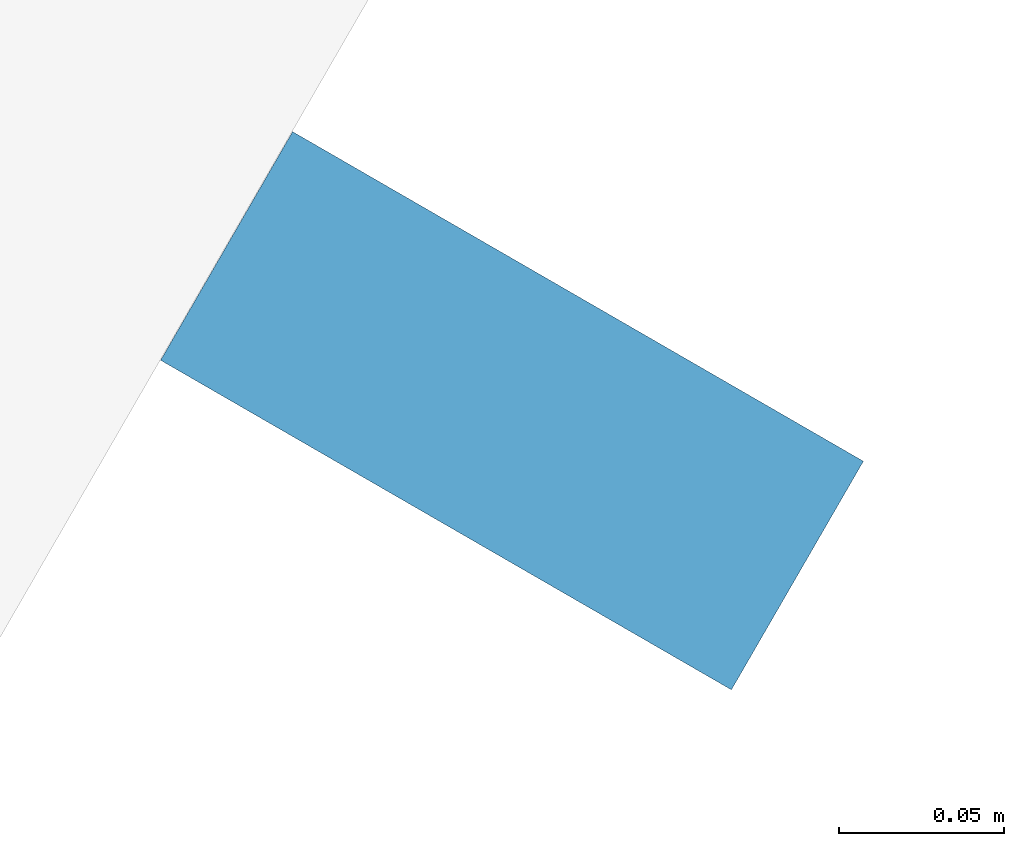
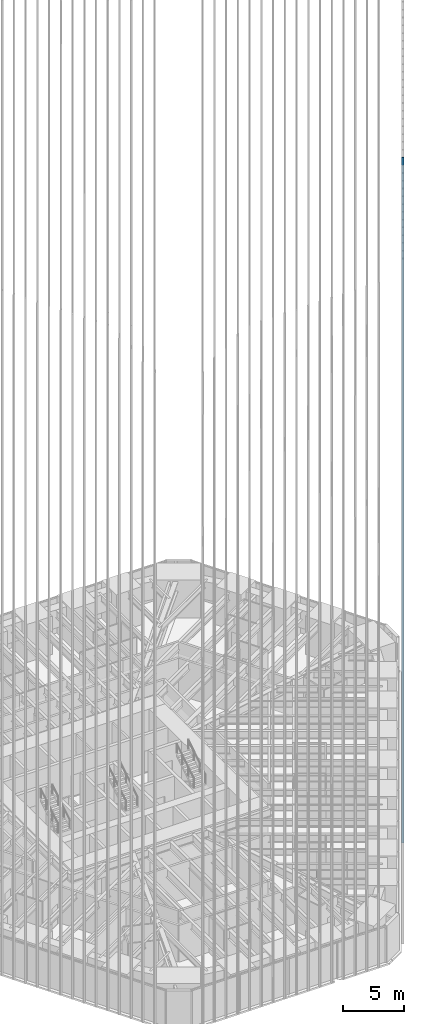
# One storey, part 101 of 256: 1 member, 1 element without a shape of its own.
"""IFC4 building model written with IfcOpenShell, lengths in metres."""

from ifc_helpers import new_model, si_unit, direction, frame, origin, origin_2d, place, context, subcontext, project, spatial, rectangle, extrude, material, material_profile, profile_set, type_object, element, aggregate, save


model = new_model("IFC4")

# Units and contexts
model_context = context("Model", 3, precision=1e-05, world=origin(), true_north=direction((0.0, 1.0)))
body_context = subcontext(model_context, "Body", "Model", "MODEL_VIEW")
ifc_project = project(units=[si_unit("LENGTHUNIT", "METRE"), si_unit("AREAUNIT", "SQUARE_METRE"), si_unit("VOLUMEUNIT", "CUBIC_METRE"), si_unit("PLANEANGLEUNIT", "RADIAN"), si_unit("MASSUNIT", "GRAM", prefix="KILO")], contexts=[model_context])

# Site, building, storey
site_placement = place(None, origin())
site = spatial("IfcSite", under=ifc_project, at=site_placement, CompositionType="ELEMENT")
building_placement = place(site_placement, origin())
building = spatial("IfcBuilding", under=site, at=building_placement, Name="Sandreach Pilgrim Tower", CompositionType="ELEMENT")
storey_placement = place(building_placement, frame((0.0, 0.0, 23.0)))
storey = spatial("IfcBuildingStorey", under=building, at=storey_placement, Name="L04", CompositionType="ELEMENT", Elevation=23.0)

# Curtain wall, member
ifc_material_1 = material(Name="Aluminium framed curtain wall", Category="aluminium")
curtain_wall_type = type_object("IfcCurtainWallType", Name="Hostel tower curtain wall", PredefinedType="NOTDEFINED", material=ifc_material_1)
curtain_wall_placement = place(storey_placement, origin())
curtain_wall = element("IfcCurtainWall", 1, at=curtain_wall_placement, inside=storey, type_object=curtain_wall_type, Name="CW-1 L04 SE", PredefinedType="NOTDEFINED")
ifc_material_2 = material(Name="Extruded terracotta on aluminium core", Category="masonry")
ifc_material_profile = material_profile(ifc_material_2, rectangle(XDim=0.080078125, YDim=0.199951171875, at=origin_2d()), Name="TBE 80X200")
ifc_profile_set = profile_set([ifc_material_profile], Name="Extruded terracotta on aluminium core")
member_type = type_object("IfcMemberType", Name="Terracotta baguette east", PredefinedType="USERDEFINED", material=ifc_profile_set)
member_placement = place(storey_placement, frame((18.875244140625, -16.004638671875, 0.0), z_axis=(0.0, 0.0, 1.0), x_axis=(-0.5, -0.866025403784, 0.0)))
member = element("IfcMember", 2, at=member_placement, type_object=member_type, Name="Baguette Z1 SE22", ObjectType="BAGUETTE", PredefinedType="USERDEFINED", context=body_context, shape_type="SweptSolid", body=[
    extrude(rectangle(XDim=0.080078125, YDim=0.199951171875, at=origin_2d()), origin(), (0.0, 0.0, 1.0), 68.239990234375),
])
aggregate(curtain_wall, [member])

save(model, "model.ifc")
